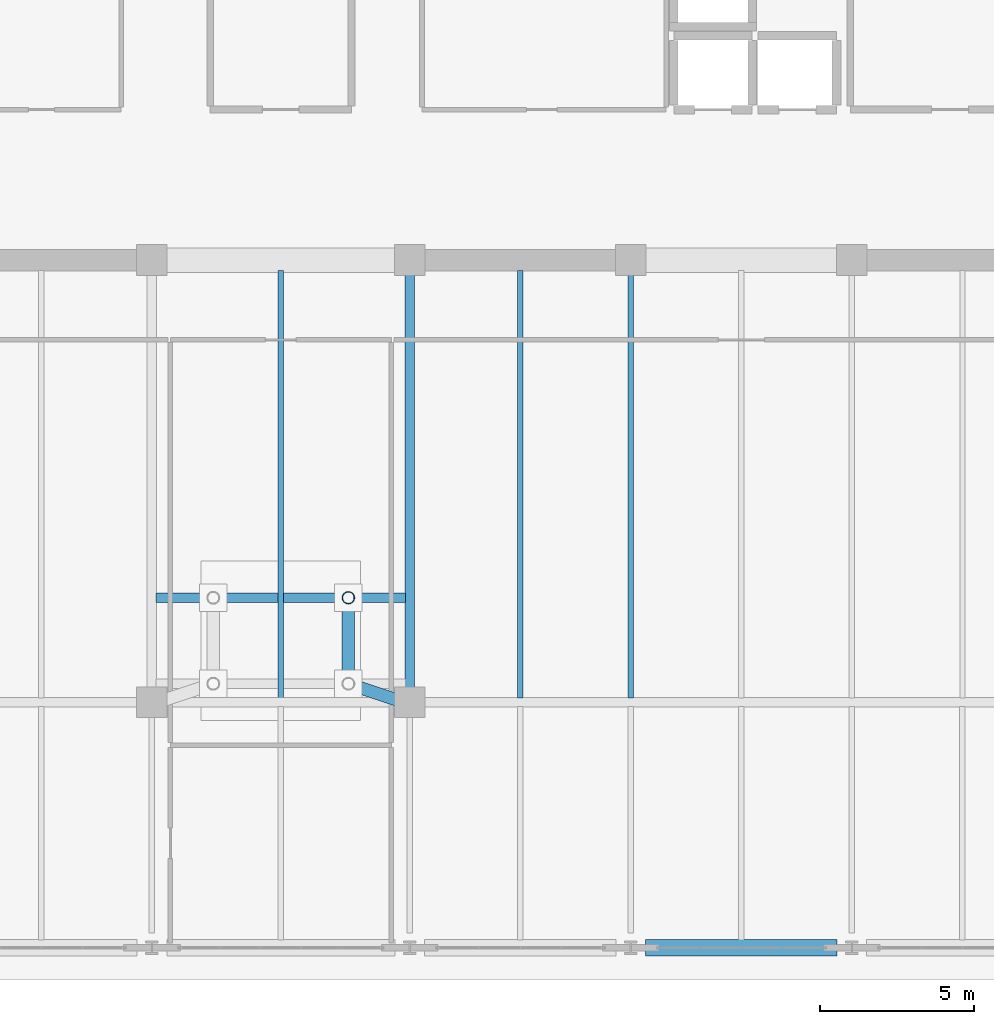
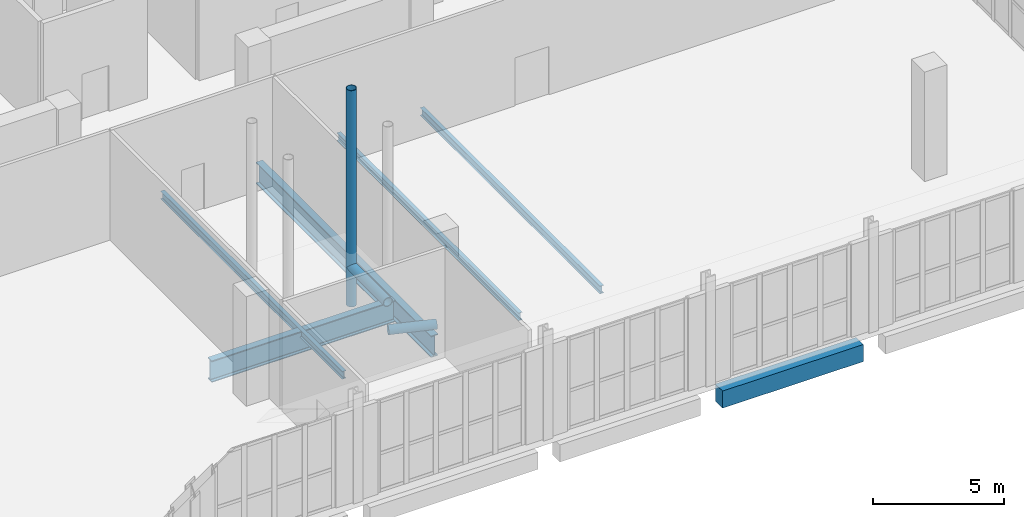
# One storey, part 9 of 26: 6 beams, 3 members.
"""IFC4 building model written with IfcOpenShell, lengths in metres."""

from ifc_helpers import new_model, si_unit, direction, frame, origin, origin_2d, place, context, subcontext, project, spatial, rectangle, hollow_circle, i_section, extrude, material, material_profile, profile_set, type_object, element, save


model = new_model("IFC4")

# Units and contexts
model_context = context("Model", 3, precision=1e-05, world=origin(), true_north=direction((0.0, 1.0)))
body_context = subcontext(model_context, "Body", "Model", "MODEL_VIEW")
ifc_project = project(units=[si_unit("LENGTHUNIT", "METRE"), si_unit("AREAUNIT", "SQUARE_METRE"), si_unit("VOLUMEUNIT", "CUBIC_METRE"), si_unit("PLANEANGLEUNIT", "RADIAN"), si_unit("MASSUNIT", "GRAM", prefix="KILO")], contexts=[model_context])

# Site, building, storey
site_placement = place(None, origin())
site = spatial("IfcSite", under=ifc_project, at=site_placement, CompositionType="ELEMENT")
building_placement = place(site_placement, origin())
building = spatial("IfcBuilding", under=site, at=building_placement, Name="Kaelvorn Grand Hotel", CompositionType="ELEMENT")
storey_placement = place(building_placement, frame((0.0, 0.0, 294.699951171875)))
storey = spatial("IfcBuildingStorey", under=building, at=storey_placement, Name="L72", CompositionType="ELEMENT", Elevation=294.699951171875)

# Beams
ifc_material_1 = material(Name="Steel S460", Category="steel")
ifc_material_profile_1 = material_profile(ifc_material_1, i_section(OverallWidth=0.302001953125, OverallDepth=1.008056640625, WebThickness=0.02099609375, FlangeThickness=0.0400390625, FilletRadius=0.024169921875, at=origin_2d()), Name="UB 1016x305x349")
ifc_profile_set_1 = profile_set([ifc_material_profile_1], Name="Steel S460")
beam_type_1 = type_object("IfcBeamType", Name="BM-G-UB1016-S460", PredefinedType="BEAM", material=ifc_profile_set_1)
beam_1_placement = place(storey_placement, frame((46.199951171875, 15.485107421875, -0.884033203125), z_axis=(0.0, 1.0, 0.0), x_axis=(-1.0, 0.0, 0.0)))
element("IfcBeam", 1, at=beam_1_placement, inside=storey, type_object=beam_type_1, Name="L72 TMD Frame Girder N2 01", PredefinedType="BEAM", context=body_context, shape_type="SweptSolid", body=[
    extrude(i_section(OverallWidth=0.302001953125, OverallDepth=1.008056640625, WebThickness=0.02099609375, FlangeThickness=0.0400390625, FilletRadius=0.024169921875, at=origin_2d()), origin(), (0.0, 0.0, 1.0), 13.429931640625),
])
beam_2_placement = place(storey_placement, frame((37.93994140625, 18.39990234375, -0.884033203125), z_axis=(1.0, 0.0, 0.0), x_axis=(0.0, 1.0, 0.0)))
element("IfcBeam", 2, at=beam_2_placement, inside=storey, type_object=beam_type_1, Name="L72 Tuned Mass Damper Support Girder G1-2", PredefinedType="BEAM", context=body_context, shape_type="SweptSolid", body=[
    extrude(i_section(OverallWidth=0.302001953125, OverallDepth=1.008056640625, WebThickness=0.02099609375, FlangeThickness=0.0400390625, FilletRadius=0.024169921875, at=origin_2d()), origin(), (0.0, 0.0, 1.0), 8.1201171875),
])
ifc_material_2 = material(Name="Steel S355", Category="steel")
ifc_material_profile_2 = material_profile(ifc_material_2, i_section(OverallWidth=0.169921875, OverallDepth=0.360107421875, WebThickness=0.008056640625, FlangeThickness=0.0126953125, FilletRadius=0.01806640625, at=origin_2d()), Name="IPE 360")
ifc_profile_set_2 = profile_set([ifc_material_profile_2], Name="Steel S355")
beam_type_2 = type_object("IfcBeamType", Name="BM-J-IPE360-S355", PredefinedType="JOIST", material=ifc_profile_set_2)
for number, where, z_axis, x_axis, name in (
    (3, (42.0, 15.135986328125, -0.56005859375), (0.0, 1.0, 0.0), (-1.0, 0.0, 0.0), "L72 Composite Floor Joist JM-12"),
    (4, (49.800048828125, 15.135986328125, -0.56005859375), (0.0, 1.0, 0.0), (-1.0, 0.0, 0.0), "L72 Composite Floor Joist JM-14"),
):
    element("IfcBeam", number, at=place(storey_placement, frame(where, z_axis=z_axis, x_axis=x_axis)), inside=storey, type_object=beam_type_2, Name=name, PredefinedType="JOIST", context=body_context, shape_type="SweptSolid", body=[
        extrude(i_section(OverallWidth=0.169921875, OverallDepth=0.360107421875, WebThickness=0.008056640625, FlangeThickness=0.0126953125, FilletRadius=0.01806640625, at=origin_2d()), origin(), (0.0, 0.0, 1.0), 13.924072265625),
    ])
beam_3_placement = place(storey_placement, frame((53.39990234375, 15.135986328125, -0.56005859375), z_axis=(0.0, 1.0, 0.0), x_axis=(-1.0, 0.0, 0.0)))
element("IfcBeam", 5, at=beam_3_placement, inside=storey, type_object=beam_type_2, Name="L72 Composite Floor Joist JM-15", PredefinedType="JOIST", context=body_context, shape_type="SweptSolid", body=[
    extrude(i_section(OverallWidth=0.169921875, OverallDepth=0.360107421875, WebThickness=0.008056640625, FlangeThickness=0.0126953125, FilletRadius=0.01806640625, at=origin_2d()), origin(), (0.0, 0.0, 1.0), 13.779052734375),
])
ifc_material_3 = material(Name="Concrete C50/60", Category="concrete")
ifc_material_profile_3 = material_profile(ifc_material_3, rectangle(XDim=0.550048828125, YDim=0.800048828125, at=origin_2d()), Name="RC SPANDREL 550x800")
ifc_profile_set_3 = profile_set([ifc_material_profile_3], Name="Concrete C50/60")
beam_type_3 = type_object("IfcBeamType", Name="BM-SP-550x800-C50", PredefinedType="SPANDREL", material=ifc_profile_set_3)
beam_4_placement = place(storey_placement, frame((53.885009765625, 7.0, -0.780029296875), z_axis=(1.0, 0.0, 0.0), x_axis=(0.0, 1.0, 0.0)))
element("IfcBeam", 6, at=beam_4_placement, inside=storey, type_object=beam_type_3, Name="L72 South Perimeter Spandrel 07", PredefinedType="SPANDREL", context=body_context, shape_type="SweptSolid", body=[
    extrude(rectangle(XDim=0.550048828125, YDim=0.800048828125, at=origin_2d()), origin(), (0.0, 0.0, 1.0), 6.22998046875),
])

# Members
ifc_material_profile_4 = material_profile(ifc_material_1, hollow_circle(Radius=0.203125, WallThickness=0.02001953125, at=origin_2d()), Name="CHS 406.4x20.0")
ifc_profile_set_4 = profile_set([ifc_material_profile_4], Name="Steel S460")
member_type = type_object("IfcMemberType", Name="MB-TMD-STRUT-CHS406", PredefinedType="STRUT", material=ifc_profile_set_4)
member_1_placement = place(storey_placement, frame((44.199951171875, 18.39990234375, 0.0), z_axis=(0.0, 0.0, 1.0), x_axis=(1.0, 0.0, 0.0)))
element("IfcMember", 7, at=member_1_placement, inside=storey, type_object=member_type, Name="L72 Tuned Mass Damper Strut Guide Post 4", PredefinedType="STRUT", context=body_context, shape_type="SweptSolid", body=[
    extrude(hollow_circle(Radius=0.203125, WallThickness=0.02001953125, at=origin_2d()), origin(), (0.0, 0.0, 1.0), 10.1201171875),
])
member_2_placement = place(storey_placement, frame((46.0, 15.0, 0.5), z_axis=(-0.948670430448, 0.316266366207, 0.0), x_axis=(-0.316266366207, -0.948670430448, 0.0)))
element("IfcMember", 8, at=member_2_placement, inside=storey, type_object=member_type, Name="L72 Tuned Mass Damper Strut Bumper 2", PredefinedType="STRUT", context=body_context, shape_type="SweptSolid", body=[
    extrude(hollow_circle(Radius=0.203125, WallThickness=0.02001953125, at=origin_2d()), origin(), (0.0, 0.0, 1.0), 1.8974609375),
])
member_3_placement = place(storey_placement, frame((44.199951171875, 15.60009765625, 1.800048828125), z_axis=(0.0, 1.0, 0.0), x_axis=(-1.0, 0.0, 0.0)))
element("IfcMember", 9, at=member_3_placement, inside=storey, type_object=member_type, Name="L72 Tuned Mass Damper Strut Bumper 4", PredefinedType="STRUT", context=body_context, shape_type="SweptSolid", body=[
    extrude(hollow_circle(Radius=0.203125, WallThickness=0.02001953125, at=origin_2d()), origin(), (0.0, 0.0, 1.0), 2.7998046875),
])

save(model, "model.ifc")
